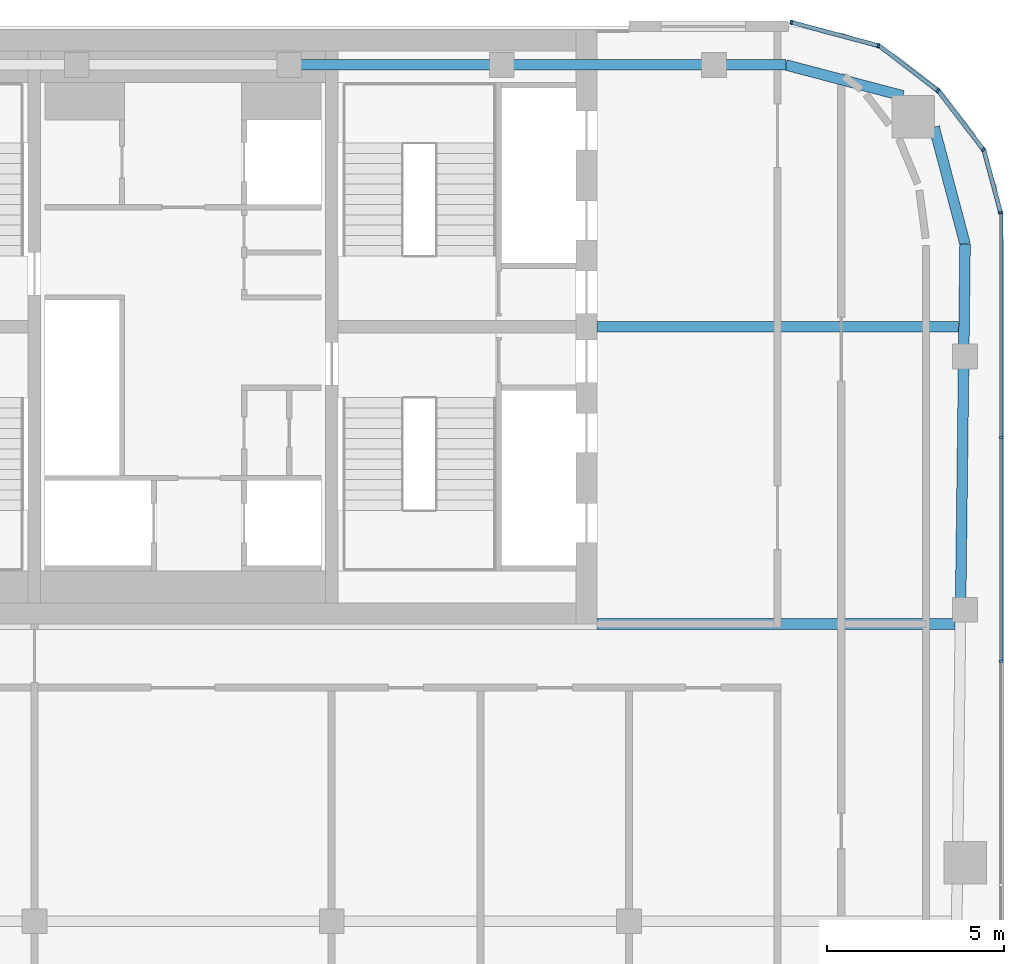
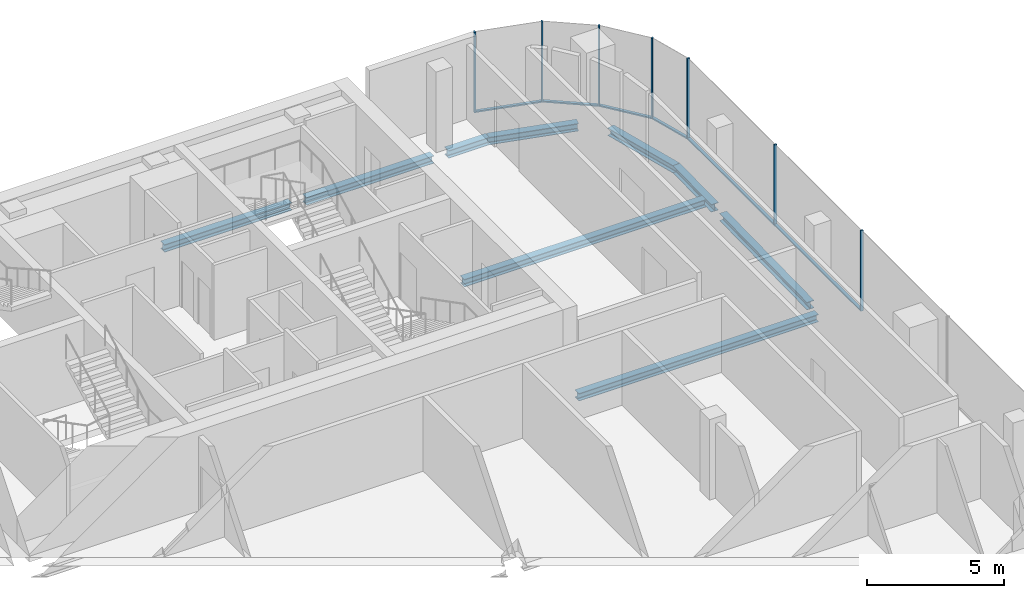
# One storey, part 11 of 19: 13 members, 9 beams, 5 elements without a shape of their own.
"""IFC4 building model written with IfcOpenShell, lengths in metres."""

from ifc_helpers import new_model, si_unit, direction, frame, origin, origin_2d, place, context, subcontext, project, spatial, rectangle, i_section, extrude, material, layer, layer_set, material_profile, profile_set, type_object, element, aggregate, save


model = new_model("IFC4")

# Units and contexts
model_context = context("Model", 3, precision=1e-05, world=origin(), true_north=direction((0.0, 1.0)))
body_context = subcontext(model_context, "Body", "Model", "MODEL_VIEW")
ifc_project = project(units=[si_unit("LENGTHUNIT", "METRE"), si_unit("AREAUNIT", "SQUARE_METRE"), si_unit("VOLUMEUNIT", "CUBIC_METRE"), si_unit("PLANEANGLEUNIT", "RADIAN"), si_unit("MASSUNIT", "GRAM", prefix="KILO")], contexts=[model_context])

# Site, building, storey
site_placement = place(None, origin())
site = spatial("IfcSite", under=ifc_project, at=site_placement, CompositionType="ELEMENT")
building_placement = place(site_placement, origin())
building = spatial("IfcBuilding", under=site, at=building_placement, Name="Marenta Gate Hotel Tower", CompositionType="ELEMENT")
storey_placement = place(building_placement, frame((0.0, 0.0, 274.10009765625)))
storey = spatial("IfcBuildingStorey", under=building, at=storey_placement, Name="L63", CompositionType="ELEMENT", Elevation=274.10009765625)

# Beams
ifc_material_1 = material(Name="Steel S355", Category="steel")
ifc_material_profile_1 = material_profile(ifc_material_1, i_section(OverallWidth=0.300048828125, OverallDepth=0.340087890625, WebThickness=0.011962890625, FlangeThickness=0.021484375, FilletRadius=0.027099609375, at=origin_2d()), Name="HEB 340")
ifc_profile_set_1 = profile_set([ifc_material_profile_1], Name="Steel S355")
beam_type_1 = type_object("IfcBeamType", Name="Edge beam HEB 340", PredefinedType="SPANDREL", material=ifc_profile_set_1)
for number, where, z_axis, x_axis, name in (
    (1, (3.311279296875, 15.800048828125, -0.43017578125), (1.0, 0.0, 0.0), (0.0, 1.0, 0.0), "L63-EB-17"),
    (2, (9.314208984375, 15.800048828125, -0.43017578125), (1.0, 0.0, 0.0), (0.0, 1.0, 0.0), "L63-EB-18"),
):
    element("IfcBeam", number, at=place(storey_placement, frame(where, z_axis=z_axis, x_axis=x_axis)), inside=storey, type_object=beam_type_1, Name=name, PredefinedType="SPANDREL", context=body_context, shape_type="SweptSolid", body=[
        extrude(i_section(OverallWidth=0.300048828125, OverallDepth=0.340087890625, WebThickness=0.011962890625, FlangeThickness=0.021484375, FilletRadius=0.027099609375, at=origin_2d()), origin(), (0.0, 0.0, 1.0), 5.3828125),
    ])
beam_1_placement = place(storey_placement, frame((15.31689453125, 15.800048828125, -0.43017578125), z_axis=(1.0, 0.0, 0.0), x_axis=(0.0, 1.0, 0.0)))
element("IfcBeam", 3, at=beam_1_placement, inside=storey, type_object=beam_type_1, Name="L63-EB-19", PredefinedType="SPANDREL", context=body_context, shape_type="SweptSolid", body=[
    extrude(i_section(OverallWidth=0.300048828125, OverallDepth=0.340087890625, WebThickness=0.011962890625, FlangeThickness=0.021484375, FilletRadius=0.027099609375, at=origin_2d()), origin(), (0.0, 0.0, 1.0), 1.717529296875),
])
for number, where, z_axis, x_axis, name in (
    (4, (17.034423828125, 15.800048828125, -0.43017578125), (0.966766977759, -0.255659169039, 0.0), (0.255659169039, 0.966766977759, 0.0), "L63-EB-20"),
    (5, (21.225341796875, 14.042236328125, -0.43017578125), (0.255659169039, -0.966766977759, 0.0), (0.966766977759, 0.255659169039, 0.0), "L63-EB-21"),
):
    element("IfcBeam", number, at=place(storey_placement, frame(where, z_axis=z_axis, x_axis=x_axis)), inside=storey, type_object=beam_type_1, Name=name, PredefinedType="SPANDREL", context=body_context, shape_type="SweptSolid", body=[
        extrude(i_section(OverallWidth=0.300048828125, OverallDepth=0.340087890625, WebThickness=0.011962890625, FlangeThickness=0.021484375, FilletRadius=0.027099609375, at=origin_2d()), origin(), (0.0, 0.0, 1.0), 3.421630859375),
    ])
beam_2_placement = place(storey_placement, frame((22.10009765625, 10.734375, -0.43017578125), z_axis=(-0.012342636833, -0.999923826757, 0.0), x_axis=(0.999923826757, -0.012342636833, 0.0)))
element("IfcBeam", 6, at=beam_2_placement, inside=storey, type_object=beam_type_1, Name="L63-EB-22", PredefinedType="SPANDREL", context=body_context, shape_type="SweptSolid", body=[
    extrude(i_section(OverallWidth=0.300048828125, OverallDepth=0.340087890625, WebThickness=0.011962890625, FlangeThickness=0.021484375, FilletRadius=0.027099609375, at=origin_2d()), origin(), (0.0, 0.0, 1.0), 2.8681640625),
])
beam_3_placement = place(storey_placement, frame((22.056884765625, 7.246337890625, -0.43017578125), z_axis=(-0.012330900994, -0.99992397155, 0.0), x_axis=(0.99992397155, -0.012330900994, 0.0)))
element("IfcBeam", 7, at=beam_3_placement, inside=storey, type_object=beam_type_1, Name="L63-EB-23", PredefinedType="SPANDREL", context=body_context, shape_type="SweptSolid", body=[
    extrude(i_section(OverallWidth=0.300048828125, OverallDepth=0.340087890625, WebThickness=0.011962890625, FlangeThickness=0.021484375, FilletRadius=0.027099609375, at=origin_2d()), origin(), (0.0, 0.0, 1.0), 6.53369140625),
])
ifc_material_2 = material(Name="Steel S355", Category="steel")
ifc_material_profile_2 = material_profile(ifc_material_2, i_section(OverallWidth=0.300048828125, OverallDepth=0.340087890625, WebThickness=0.011962890625, FlangeThickness=0.021484375, FilletRadius=0.027099609375, at=origin_2d()), Name="HEB 340")
ifc_profile_set_2 = profile_set([ifc_material_profile_2], Name="Steel S355")
beam_type_2 = type_object("IfcBeamType", Name="Girder HEB 340", PredefinedType="BEAM", material=ifc_profile_set_2)
beam_4_placement = place(storey_placement, frame((11.699951171875, 0.0, -0.43017578125), z_axis=(1.0, 0.0, 0.0), x_axis=(0.0, 1.0, 0.0)))
element("IfcBeam", 8, at=beam_4_placement, inside=storey, type_object=beam_type_2, Name="L63-GD-18", PredefinedType="BEAM", context=body_context, shape_type="SweptSolid", body=[
    extrude(i_section(OverallWidth=0.300048828125, OverallDepth=0.340087890625, WebThickness=0.011962890625, FlangeThickness=0.021484375, FilletRadius=0.027099609375, at=origin_2d()), origin(), (0.0, 0.0, 1.0), 10.117431640625),
])
beam_5_placement = place(storey_placement, frame((11.699951171875, 8.39990234375, -0.43017578125), z_axis=(1.0, 0.0, 0.0), x_axis=(0.0, 1.0, 0.0)))
element("IfcBeam", 9, at=beam_5_placement, inside=storey, type_object=beam_type_2, Name="L63-GD-20", PredefinedType="BEAM", context=body_context, shape_type="SweptSolid", body=[
    extrude(i_section(OverallWidth=0.300048828125, OverallDepth=0.340087890625, WebThickness=0.011962890625, FlangeThickness=0.021484375, FilletRadius=0.027099609375, at=origin_2d()), origin(), (0.0, 0.0, 1.0), 10.22119140625),
])

# Curtain wall, members
ifc_material_3 = material(Name="Tinted insulated glass in bronze anodised frame", Category="glass")
ifc_layer = layer(ifc_material_3, 0.1201171875)
ifc_layer_set = layer_set([ifc_layer], Name="Tinted insulated glass in bronze anodised frame")
curtain_wall_type = type_object("IfcCurtainWallType", Name="Tower unitised curtain wall CW1", PredefinedType="NOTDEFINED", material=ifc_layer_set)
curtain_wall_1_placement = place(storey_placement, origin())
curtain_wall_1 = element("IfcCurtainWall", 10, at=curtain_wall_1_placement, inside=storey, type_object=curtain_wall_type, Name="CW1 run G11", PredefinedType="NOTDEFINED")
ifc_material_4 = material(Name="Bronze anodised aluminium", Category="aluminium")
ifc_material_profile_3 = material_profile(ifc_material_4, rectangle(XDim=0.1201171875, YDim=0.06005859375, at=origin_2d()), Name="Mullion CW1 60x120 bronze anodised aluminium")
ifc_profile_set_3 = profile_set([ifc_material_profile_3], Name="Bronze anodised aluminium")
member_type_1 = type_object("IfcMemberType", Name="Mullion CW1 60x120 bronze anodised aluminium", PredefinedType="MULLION", material=ifc_profile_set_3)
member_1_placement = place(storey_placement, frame((23.114013671875, -1.053466796875, 0.0), z_axis=(0.0, 0.0, 1.0), x_axis=(-1.0, 0.0, 0.0)))
member_1 = element("IfcMember", 11, at=member_1_placement, type_object=member_type_1, Name="CW1 mullion 5", PredefinedType="MULLION", context=body_context, shape_type="SweptSolid", body=[
    extrude(rectangle(XDim=0.1201171875, YDim=0.06005859375, at=origin_2d()), origin(), (0.0, 0.0, 1.0), 3.599853515625),
])
member_2_placement = place(storey_placement, frame((23.114013671875, 5.269287109375, 0.0), z_axis=(0.0, 0.0, 1.0), x_axis=(-1.0, 0.0, 0.0)))
member_2 = element("IfcMember", 12, at=member_2_placement, type_object=member_type_1, Name="CW1 mullion 6", PredefinedType="MULLION", context=body_context, shape_type="SweptSolid", body=[
    extrude(rectangle(XDim=0.1201171875, YDim=0.06005859375, at=origin_2d()), origin(), (0.0, 0.0, 1.0), 3.599853515625),
])

# Curtain wall, member
curtain_wall_2_placement = place(storey_placement, origin())
curtain_wall_2 = element("IfcCurtainWall", 13, at=curtain_wall_2_placement, inside=storey, type_object=curtain_wall_type, Name="CW1 run G12", PredefinedType="NOTDEFINED")
member_3_placement = place(storey_placement, frame((23.106201171875, 11.620849609375, 0.0), z_axis=(0.0, 0.0, 1.0), x_axis=(-0.965924453932, -0.258824166754, 0.0)))
member_3 = element("IfcMember", 14, at=member_3_placement, type_object=member_type_1, Name="CW1 mullion 1", PredefinedType="MULLION", context=body_context, shape_type="SweptSolid", body=[
    extrude(rectangle(XDim=0.1201171875, YDim=0.06005859375, at=origin_2d()), origin(), (0.0, 0.0, 1.0), 3.599853515625),
])

curtain_wall_3_placement = place(storey_placement, origin())
curtain_wall_3 = element("IfcCurtainWall", 15, at=curtain_wall_3_placement, inside=storey, type_object=curtain_wall_type, Name="CW1 run G13", PredefinedType="NOTDEFINED")
member_4_placement = place(storey_placement, frame((22.615966796875, 13.40625, 0.0), z_axis=(0.0, 0.0, 1.0), x_axis=(-0.793333335233, -0.608787499222, 0.0)))
member_4 = element("IfcMember", 16, at=member_4_placement, type_object=member_type_1, Name="CW1 mullion 1", PredefinedType="MULLION", context=body_context, shape_type="SweptSolid", body=[
    extrude(rectangle(XDim=0.1201171875, YDim=0.06005859375, at=origin_2d()), origin(), (0.0, 0.0, 1.0), 3.599853515625),
])

curtain_wall_4_placement = place(storey_placement, origin())
curtain_wall_4 = element("IfcCurtainWall", 17, at=curtain_wall_4_placement, inside=storey, type_object=curtain_wall_type, Name="CW1 run G14", PredefinedType="NOTDEFINED")
member_5_placement = place(storey_placement, frame((21.328857421875, 15.07080078125, 0.0), z_axis=(0.0, 0.0, 1.0), x_axis=(-0.608787499222, -0.793333335233, 0.0)))
member_5 = element("IfcMember", 18, at=member_5_placement, type_object=member_type_1, Name="CW1 mullion 1", PredefinedType="MULLION", context=body_context, shape_type="SweptSolid", body=[
    extrude(rectangle(XDim=0.1201171875, YDim=0.06005859375, at=origin_2d()), origin(), (0.0, 0.0, 1.0), 3.599853515625),
])

# Curtain wall, members
curtain_wall_5_placement = place(storey_placement, origin())
curtain_wall_5 = element("IfcCurtainWall", 19, at=curtain_wall_5_placement, inside=storey, type_object=curtain_wall_type, Name="CW1 run G15", PredefinedType="NOTDEFINED")
member_6_placement = place(storey_placement, frame((19.653564453125, 16.342041015625, 0.0), z_axis=(0.0, 0.0, 1.0), x_axis=(-0.258804895175, -0.96592961764, 0.0)))
member_6 = element("IfcMember", 20, at=member_6_placement, type_object=member_type_1, Name="CW1 mullion 1", PredefinedType="MULLION", context=body_context, shape_type="SweptSolid", body=[
    extrude(rectangle(XDim=0.1201171875, YDim=0.06005859375, at=origin_2d()), origin(), (0.0, 0.0, 1.0), 3.599853515625),
])
member_7_placement = place(storey_placement, frame((17.185546875, 17.003173828125, 0.0), z_axis=(0.0, 0.0, 1.0), x_axis=(-0.258804895175, -0.96592961764, 0.0)))
member_7 = element("IfcMember", 21, at=member_7_placement, type_object=member_type_1, Name="CW1 mullion 2", PredefinedType="MULLION", context=body_context, shape_type="SweptSolid", body=[
    extrude(rectangle(XDim=0.1201171875, YDim=0.06005859375, at=origin_2d()), origin(), (0.0, 0.0, 1.0), 3.599853515625),
])

# Member
ifc_material_5 = material(Name="Bronze anodised aluminium", Category="aluminium")
ifc_material_profile_4 = material_profile(ifc_material_5, rectangle(XDim=0.1201171875, YDim=0.06005859375, at=origin_2d()), Name="Transom CW1 60x120 bronze anodised aluminium")
ifc_profile_set_4 = profile_set([ifc_material_profile_4], Name="Bronze anodised aluminium")
member_type_2 = type_object("IfcMemberType", Name="Transom CW1 60x120 bronze anodised aluminium", PredefinedType="USERDEFINED", material=ifc_profile_set_4)
member_8_placement = place(storey_placement, frame((23.114013671875, -1.0234375, 0.02978515625), z_axis=(0.0, 1.0, 0.0), x_axis=(-1.0, 0.0, 0.0)))
member_8 = element("IfcMember", 22, at=member_8_placement, type_object=member_type_2, Name="CW1 transom 5.1", ObjectType="TRANSOM", PredefinedType="USERDEFINED", context=body_context, shape_type="SweptSolid", body=[
    extrude(rectangle(XDim=0.1201171875, YDim=0.06005859375, at=origin_2d()), origin(), (0.0, 0.0, 1.0), 6.2626953125),
])

member_9_placement = place(storey_placement, frame((23.114013671875, 5.29931640625, 0.02978515625), z_axis=(0.0, 1.0, 0.0), x_axis=(-1.0, 0.0, 0.0)))
member_9 = element("IfcMember", 23, at=member_9_placement, type_object=member_type_2, Name="CW1 transom 6.1", ObjectType="TRANSOM", PredefinedType="USERDEFINED", context=body_context, shape_type="SweptSolid", body=[
    extrude(rectangle(XDim=0.1201171875, YDim=0.06005859375, at=origin_2d()), origin(), (0.0, 0.0, 1.0), 6.29248046875),
])

aggregate(curtain_wall_1, [member_1, member_2, member_8, member_9])

member_10_placement = place(storey_placement, frame((23.098388671875, 11.64990234375, 0.02978515625), z_axis=(-0.258738352989, 0.965947444063, 0.0), x_axis=(-0.965947444063, -0.258738352989, 0.0)))
member_10 = element("IfcMember", 24, at=member_10_placement, type_object=member_type_2, Name="CW1 transom 1.1", ObjectType="TRANSOM", PredefinedType="USERDEFINED", context=body_context, shape_type="SweptSolid", body=[
    extrude(rectangle(XDim=0.1201171875, YDim=0.06005859375, at=origin_2d()), origin(), (0.0, 0.0, 1.0), 1.793701171875),
])

aggregate(curtain_wall_2, [member_3, member_10])

member_11_placement = place(storey_placement, frame((22.59765625, 13.43017578125, 0.02978515625), z_axis=(-0.608844993447, 0.79328921205, 0.0), x_axis=(-0.79328921205, -0.608844993447, 0.0)))
member_11 = element("IfcMember", 25, at=member_11_placement, type_object=member_type_2, Name="CW1 transom 1.1", ObjectType="TRANSOM", PredefinedType="USERDEFINED", context=body_context, shape_type="SweptSolid", body=[
    extrude(rectangle(XDim=0.1201171875, YDim=0.06005859375, at=origin_2d()), origin(), (0.0, 0.0, 1.0), 2.045166015625),
])

aggregate(curtain_wall_3, [member_4, member_11])

member_12_placement = place(storey_placement, frame((21.304931640625, 15.089111328125, 0.02978515625), z_axis=(-0.79328921205, 0.608844993447, 0.0), x_axis=(-0.608844993447, -0.79328921205, 0.0)))
member_12 = element("IfcMember", 26, at=member_12_placement, type_object=member_type_2, Name="CW1 transom 1.1", ObjectType="TRANSOM", PredefinedType="USERDEFINED", context=body_context, shape_type="SweptSolid", body=[
    extrude(rectangle(XDim=0.1201171875, YDim=0.06005859375, at=origin_2d()), origin(), (0.0, 0.0, 1.0), 2.045166015625),
])

aggregate(curtain_wall_4, [member_5, member_12])

member_13_placement = place(storey_placement, frame((19.62451171875, 16.349609375, 0.02978515625), z_axis=(-0.965930582093, 0.258801295547, 0.0), x_axis=(-0.258801295547, -0.965930582093, 0.0)))
member_13 = element("IfcMember", 27, at=member_13_placement, type_object=member_type_2, Name="CW1 transom 1.1", ObjectType="TRANSOM", PredefinedType="USERDEFINED", context=body_context, shape_type="SweptSolid", body=[
    extrude(rectangle(XDim=0.1201171875, YDim=0.06005859375, at=origin_2d()), origin(), (0.0, 0.0, 1.0), 2.4951171875),
])

aggregate(curtain_wall_5, [member_6, member_7, member_13])

save(model, "model.ifc")
